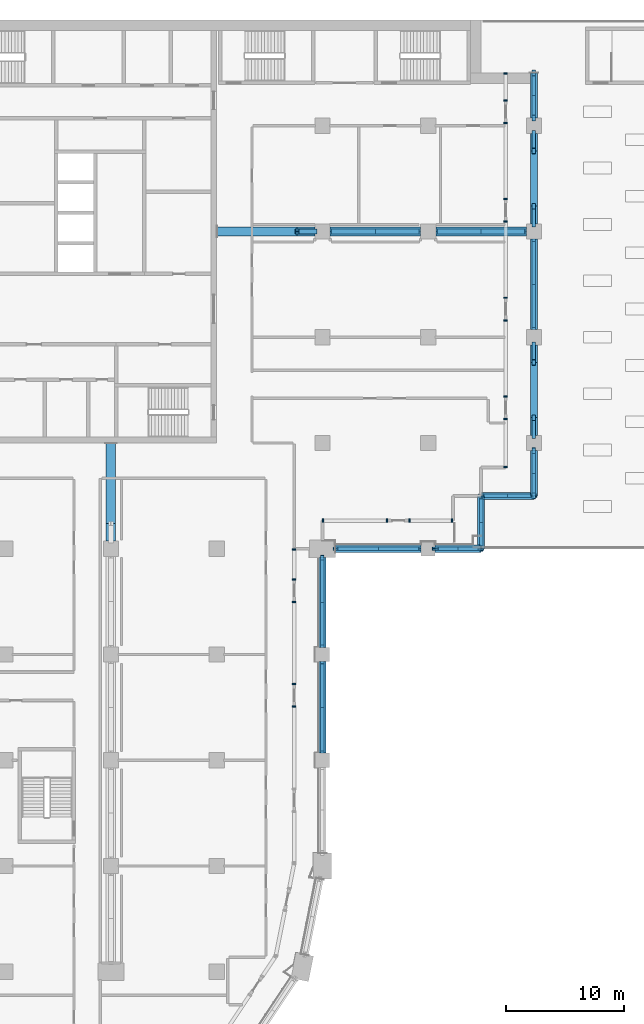
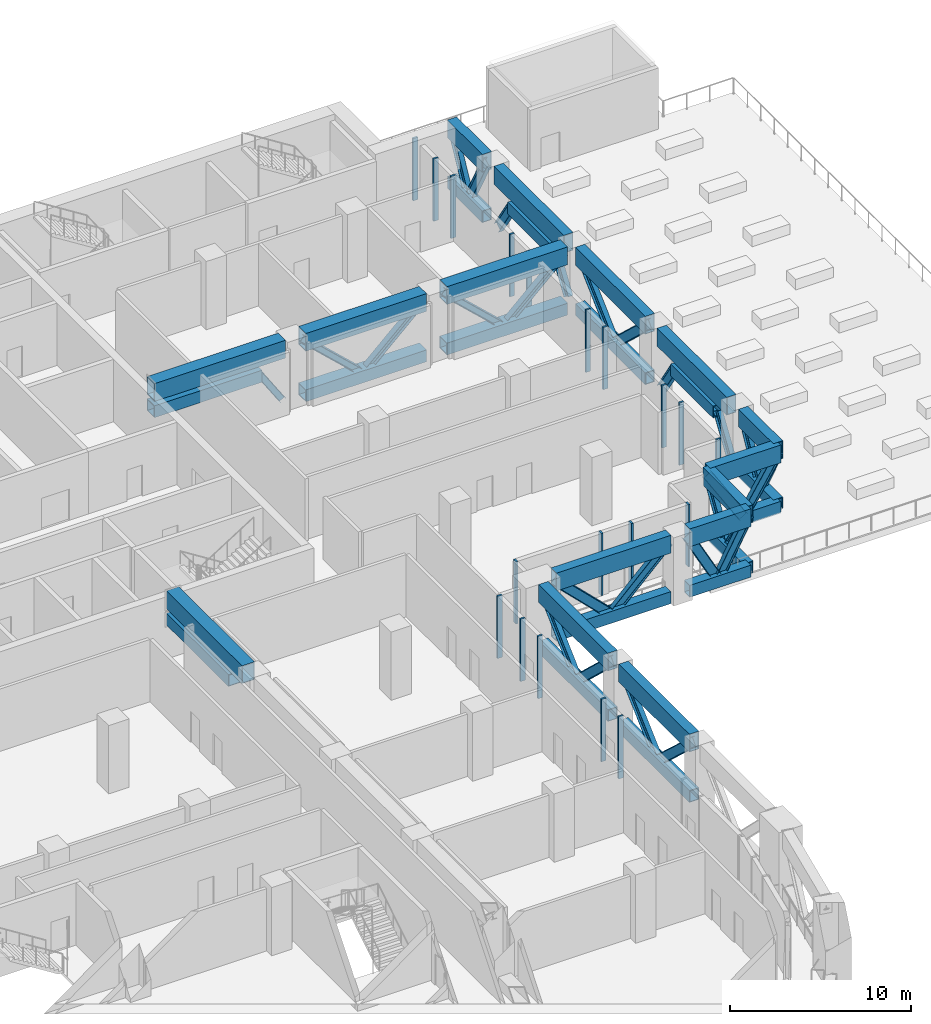
# One storey, part 3 of 22: 76 members.
"""IFC4 building model written with IfcOpenShell, lengths in metres."""

from ifc_helpers import new_model, si_unit, direction, frame, origin, origin_2d, place, context, subcontext, project, spatial, rectangle, hollow_rectangle, i_section, extrude, material, material_profile, profile_set, type_object, element, save


model = new_model("IFC4")

# Units and contexts
model_context = context("Model", 3, precision=1e-05, world=origin(), true_north=direction((0.0, 1.0)))
body_context = subcontext(model_context, "Body", "Model", "MODEL_VIEW")
ifc_project = project(units=[si_unit("LENGTHUNIT", "METRE"), si_unit("AREAUNIT", "SQUARE_METRE"), si_unit("VOLUMEUNIT", "CUBIC_METRE"), si_unit("PLANEANGLEUNIT", "RADIAN"), si_unit("MASSUNIT", "GRAM", prefix="KILO")], contexts=[model_context])

# Site, building, storey
site_placement = place(None, origin())
site = spatial("IfcSite", under=ifc_project, at=site_placement, CompositionType="ELEMENT")
building_placement = place(site_placement, origin())
building = spatial("IfcBuilding", under=site, at=building_placement, Name="Hunhe Ridgeline Campus", CompositionType="ELEMENT")
storey_placement = place(building_placement, frame((0.0, 0.0, 129.199951171875)))
storey = spatial("IfcBuildingStorey", under=building, at=storey_placement, Name="L32", CompositionType="ELEMENT", Elevation=129.199951171875)

# Members
ifc_material_1 = material(Name="Steel Q420", Category="steel")
ifc_material_profile_1 = material_profile(ifc_material_1, hollow_rectangle(XDim=0.60009765625, YDim=0.800048828125, WallThickness=0.035888671875, at=origin_2d()))
ifc_profile_set_1 = profile_set([ifc_material_profile_1], Name="Steel Q420")
member_type_1 = type_object("IfcMemberType", Name="Belt truss bottom chord Box 800x600x36 Steel Q420", PredefinedType="CHORD", material=ifc_profile_set_1)
member_1_placement = place(storey_placement, frame((45.0, 36.60009765625, 0.400146484375), z_axis=(0.0, 1.0, 0.0), x_axis=(-1.0, 0.0, 0.0)))
element("IfcMember", 1, at=member_1_placement, inside=storey, type_object=member_type_1, Name="Belt truss BT1 bottom chord L32 38", PredefinedType="CHORD", context=body_context, shape_type="SweptSolid", body=[
    extrude(hollow_rectangle(XDim=0.60009765625, YDim=0.800048828125, WallThickness=0.035888671875, at=origin_2d()), origin(), (0.0, 0.0, 1.0), 7.7998046875),
])
member_2_placement = place(storey_placement, frame((45.0, 45.60009765625, 0.400146484375), z_axis=(0.0, 1.0, 0.0), x_axis=(-1.0, 0.0, 0.0)))
element("IfcMember", 2, at=member_2_placement, inside=storey, type_object=member_type_1, Name="Belt truss BT1 bottom chord L32 42", PredefinedType="CHORD", context=body_context, shape_type="SweptSolid", body=[
    extrude(hollow_rectangle(XDim=0.60009765625, YDim=0.800048828125, WallThickness=0.035888671875, at=origin_2d()), origin(), (0.0, 0.0, 1.0), 7.64990234375),
])
member_3_placement = place(storey_placement, frame((46.10009765625, 54.0, 0.400146484375), z_axis=(1.0, 0.0, 0.0), x_axis=(0.0, 1.0, 0.0)))
element("IfcMember", 3, at=member_3_placement, inside=storey, type_object=member_type_1, Name="Belt truss BT1 bottom chord L32 46", PredefinedType="CHORD", context=body_context, shape_type="SweptSolid", body=[
    extrude(hollow_rectangle(XDim=0.60009765625, YDim=0.800048828125, WallThickness=0.035888671875, at=origin_2d()), origin(), (0.0, 0.0, 1.0), 7.2998046875),
])
member_4_placement = place(storey_placement, frame((54.60009765625, 54.0, 0.400146484375), z_axis=(1.0, 0.0, 0.0), x_axis=(0.0, 1.0, 0.0)))
element("IfcMember", 4, at=member_4_placement, inside=storey, type_object=member_type_1, Name="Belt truss BT1 bottom chord L32 50", PredefinedType="CHORD", context=body_context, shape_type="SweptSolid", body=[
    extrude(hollow_rectangle(XDim=0.60009765625, YDim=0.800048828125, WallThickness=0.035888671875, at=origin_2d()), origin(), (0.0, 0.0, 1.0), 3.89990234375),
])
for number, where, z_axis, x_axis, name in (
    (5, (58.5, 54.0, 0.400146484375), (0.0, 1.0, 0.0), (-1.0, 0.0, 0.0), "Belt truss BT1 bottom chord L32 54"),
    (6, (58.5, 58.5, 0.400146484375), (1.0, 0.0, 0.0), (0.0, 1.0, 0.0), "Belt truss BT1 bottom chord L32 58"),
):
    element("IfcMember", number, at=place(storey_placement, frame(where, z_axis=z_axis, x_axis=x_axis)), inside=storey, type_object=member_type_1, Name=name, PredefinedType="CHORD", context=body_context, shape_type="SweptSolid", body=[
        extrude(hollow_rectangle(XDim=0.60009765625, YDim=0.800048828125, WallThickness=0.035888671875, at=origin_2d()), origin(), (0.0, 0.0, 1.0), 4.5),
    ])
member_5_placement = place(storey_placement, frame((63.0, 58.5, 0.400146484375), z_axis=(0.0, 1.0, 0.0), x_axis=(-1.0, 0.0, 0.0)))
element("IfcMember", 7, at=member_5_placement, inside=storey, type_object=member_type_1, Name="Belt truss BT1 bottom chord L32 62", PredefinedType="CHORD", context=body_context, shape_type="SweptSolid", body=[
    extrude(hollow_rectangle(XDim=0.60009765625, YDim=0.800048828125, WallThickness=0.035888671875, at=origin_2d()), origin(), (0.0, 0.0, 1.0), 3.85009765625),
])
member_6_placement = place(storey_placement, frame((63.0, 65.14990234375, 2.699951171875), z_axis=(0.0, 1.0, 0.0), x_axis=(-1.0, 0.0, 0.0)))
element("IfcMember", 8, at=member_6_placement, inside=storey, type_object=member_type_1, Name="Belt truss BT1 bottom chord L32 66", PredefinedType="CHORD", context=body_context, shape_type="SweptSolid", body=[
    extrude(hollow_rectangle(XDim=0.60009765625, YDim=0.800048828125, WallThickness=0.035888671875, at=origin_2d()), origin(), (0.0, 0.0, 1.0), 4.7001953125),
])
member_7_placement = place(storey_placement, frame((63.0, 72.64990234375, 0.400146484375), z_axis=(0.0, 1.0, 0.0), x_axis=(-1.0, 0.0, 0.0)))
element("IfcMember", 9, at=member_7_placement, inside=storey, type_object=member_type_1, Name="Belt truss BT1 bottom chord L32 70", PredefinedType="CHORD", context=body_context, shape_type="SweptSolid", body=[
    extrude(hollow_rectangle(XDim=0.60009765625, YDim=0.800048828125, WallThickness=0.035888671875, at=origin_2d()), origin(), (0.0, 0.0, 1.0), 7.7001953125),
])
member_8_placement = place(storey_placement, frame((63.0, 83.14990234375, 2.699951171875), z_axis=(0.0, 1.0, 0.0), x_axis=(-1.0, 0.0, 0.0)))
element("IfcMember", 10, at=member_8_placement, inside=storey, type_object=member_type_1, Name="Belt truss BT1 bottom chord L32 74", PredefinedType="CHORD", context=body_context, shape_type="SweptSolid", body=[
    extrude(hollow_rectangle(XDim=0.60009765625, YDim=0.800048828125, WallThickness=0.035888671875, at=origin_2d()), origin(), (0.0, 0.0, 1.0), 4.7001953125),
])
member_9_placement = place(storey_placement, frame((63.0, 90.64990234375, 0.400146484375), z_axis=(0.0, 1.0, 0.0), x_axis=(-1.0, 0.0, 0.0)))
element("IfcMember", 11, at=member_9_placement, inside=storey, type_object=member_type_1, Name="Belt truss BT1 bottom chord L32 78", PredefinedType="CHORD", context=body_context, shape_type="SweptSolid", body=[
    extrude(hollow_rectangle(XDim=0.60009765625, YDim=0.800048828125, WallThickness=0.035888671875, at=origin_2d()), origin(), (0.0, 0.0, 1.0), 3.85009765625),
])
ifc_material_profile_2 = material_profile(ifc_material_1, i_section(OverallWidth=0.300048828125, OverallDepth=0.587890625, WebThickness=0.011962890625, FlangeThickness=0.02001953125, FilletRadius=0.012939453125, at=origin_2d()))
ifc_profile_set_2 = profile_set([ifc_material_profile_2], Name="Steel Q420")
member_type_2 = type_object("IfcMemberType", Name="Belt truss diagonal HM588x300x12x20 Steel Q420", PredefinedType="BRACE", material=ifc_profile_set_2)
for number, where, z_axis, x_axis, name in (
    (12, (45.0, 36.60009765625, 4.0), (0.0, 0.734808735374, -0.678274371046), (-1.0, 0.0, 0.0), "Belt truss BT1 diagonal L32 39"),
    (13, (45.0, 40.5, 0.400146484375), (0.0, 0.734808735374, 0.678274371046), (-1.0, 0.0, 0.0), "Belt truss BT1 diagonal L32 40"),
):
    element("IfcMember", number, at=place(storey_placement, frame(where, z_axis=z_axis, x_axis=x_axis)), inside=storey, type_object=member_type_2, Name=name, PredefinedType="BRACE", context=body_context, shape_type="SweptSolid", body=[
        extrude(i_section(OverallWidth=0.300048828125, OverallDepth=0.587890625, WebThickness=0.011962890625, FlangeThickness=0.02001953125, FilletRadius=0.012939453125, at=origin_2d()), origin(), (0.0, 0.0, 1.0), 5.307373046875),
    ])
for number, where, z_axis, x_axis, name in (
    (14, (45.0, 45.60009765625, 4.0), (0.0, 0.728209544572, -0.685354549991), (-1.0, 0.0, 0.0), "Belt truss BT1 diagonal L32 43"),
    (15, (45.0, 49.425048828125, 0.400146484375), (0.0, 0.728209544572, 0.685354549991), (-1.0, 0.0, 0.0), "Belt truss BT1 diagonal L32 44"),
):
    element("IfcMember", number, at=place(storey_placement, frame(where, z_axis=z_axis, x_axis=x_axis)), inside=storey, type_object=member_type_2, Name=name, PredefinedType="BRACE", context=body_context, shape_type="SweptSolid", body=[
        extrude(i_section(OverallWidth=0.300048828125, OverallDepth=0.587890625, WebThickness=0.011962890625, FlangeThickness=0.02001953125, FilletRadius=0.012939453125, at=origin_2d()), origin(), (0.0, 0.0, 1.0), 5.25244140625),
    ])
for number, where, z_axis, x_axis, name in (
    (16, (46.10009765625, 54.0, 4.0), (0.711971340796, 0.0, -0.702208523079), (0.0, 1.0, 0.0), "Belt truss BT1 diagonal L32 47"),
    (17, (49.75, 54.0, 0.400146484375), (0.711971340796, 0.0, 0.702208523079), (0.0, 1.0, 0.0), "Belt truss BT1 diagonal L32 48"),
):
    element("IfcMember", number, at=place(storey_placement, frame(where, z_axis=z_axis, x_axis=x_axis)), inside=storey, type_object=member_type_2, Name=name, PredefinedType="BRACE", context=body_context, shape_type="SweptSolid", body=[
        extrude(i_section(OverallWidth=0.300048828125, OverallDepth=0.587890625, WebThickness=0.011962890625, FlangeThickness=0.02001953125, FilletRadius=0.012939453125, at=origin_2d()), origin(), (0.0, 0.0, 1.0), 5.12646484375),
    ])
for number, where, z_axis, x_axis, name in (
    (18, (54.60009765625, 54.0, 4.0), (0.476288911721, 0.0, -0.879288844789), (0.0, 1.0, 0.0), "Belt truss BT1 diagonal L32 51"),
    (19, (56.550048828125, 54.0, 0.400146484375), (0.476288911721, 0.0, 0.879288844789), (0.0, 1.0, 0.0), "Belt truss BT1 diagonal L32 52"),
):
    element("IfcMember", number, at=place(storey_placement, frame(where, z_axis=z_axis, x_axis=x_axis)), inside=storey, type_object=member_type_2, Name=name, PredefinedType="BRACE", context=body_context, shape_type="SweptSolid", body=[
        extrude(i_section(OverallWidth=0.300048828125, OverallDepth=0.587890625, WebThickness=0.011962890625, FlangeThickness=0.02001953125, FilletRadius=0.012939453125, at=origin_2d()), origin(), (0.0, 0.0, 1.0), 4.093994140625),
    ])
for number, where, z_axis, x_axis, name in (
    (20, (58.5, 54.0, 4.0), (0.0, 0.530014448296, -0.847988611125), (-1.0, 0.0, 0.0), "Belt truss BT1 diagonal L32 55"),
    (21, (58.5, 56.25, 0.400146484375), (0.0, 0.530014448296, 0.847988611125), (-1.0, 0.0, 0.0), "Belt truss BT1 diagonal L32 56"),
    (22, (58.5, 58.5, 4.0), (0.530014448296, 0.0, -0.847988611125), (0.0, 1.0, 0.0), "Belt truss BT1 diagonal L32 59"),
    (23, (60.75, 58.5, 0.400146484375), (0.530014448296, 0.0, 0.847988611125), (0.0, 1.0, 0.0), "Belt truss BT1 diagonal L32 60"),
):
    element("IfcMember", number, at=place(storey_placement, frame(where, z_axis=z_axis, x_axis=x_axis)), inside=storey, type_object=member_type_2, Name=name, PredefinedType="BRACE", context=body_context, shape_type="SweptSolid", body=[
        extrude(i_section(OverallWidth=0.300048828125, OverallDepth=0.587890625, WebThickness=0.011962890625, FlangeThickness=0.02001953125, FilletRadius=0.012939453125, at=origin_2d()), origin(), (0.0, 0.0, 1.0), 4.2451171875),
    ])
for number, where, z_axis, x_axis, name in (
    (24, (63.0, 58.5, 4.0), (0.0, 0.471565733919, -0.8818309127), (-1.0, 0.0, 0.0), "Belt truss BT1 diagonal L32 63"),
    (25, (63.0, 60.425048828125, 0.400146484375), (0.0, 0.471565733919, 0.8818309127), (-1.0, 0.0, 0.0), "Belt truss BT1 diagonal L32 64"),
):
    element("IfcMember", number, at=place(storey_placement, frame(where, z_axis=z_axis, x_axis=x_axis)), inside=storey, type_object=member_type_2, Name=name, PredefinedType="BRACE", context=body_context, shape_type="SweptSolid", body=[
        extrude(i_section(OverallWidth=0.300048828125, OverallDepth=0.587890625, WebThickness=0.011962890625, FlangeThickness=0.02001953125, FilletRadius=0.012939453125, at=origin_2d()), origin(), (0.0, 0.0, 1.0), 4.082275390625),
    ])
for number, where, z_axis, x_axis, name in (
    (26, (63.0, 63.64990234375, 0.400146484375), (0.0, 0.546300327661, 0.837589369558), (-1.0, 0.0, 0.0), "Belt truss BT1 knee brace L32 67"),
    (27, (63.0, 69.85009765625, 2.699951171875), (0.0, 0.546300327661, -0.837589369558), (-1.0, 0.0, 0.0), "Belt truss BT1 knee brace L32 68"),
):
    element("IfcMember", number, at=place(storey_placement, frame(where, z_axis=z_axis, x_axis=x_axis)), inside=storey, type_object=member_type_2, Name=name, PredefinedType="BRACE", context=body_context, shape_type="SweptSolid", body=[
        extrude(i_section(OverallWidth=0.300048828125, OverallDepth=0.587890625, WebThickness=0.011962890625, FlangeThickness=0.02001953125, FilletRadius=0.012939453125, at=origin_2d()), origin(), (0.0, 0.0, 1.0), 2.745849609375),
    ])
for number, where, z_axis, x_axis, name in (
    (28, (63.0, 72.64990234375, 4.0), (0.0, 0.730446562778, -0.682969852135), (-1.0, 0.0, 0.0), "Belt truss BT1 diagonal L32 71"),
    (29, (63.0, 76.5, 0.400146484375), (0.0, 0.730446562778, 0.682969852135), (-1.0, 0.0, 0.0), "Belt truss BT1 diagonal L32 72"),
):
    element("IfcMember", number, at=place(storey_placement, frame(where, z_axis=z_axis, x_axis=x_axis)), inside=storey, type_object=member_type_2, Name=name, PredefinedType="BRACE", context=body_context, shape_type="SweptSolid", body=[
        extrude(i_section(OverallWidth=0.300048828125, OverallDepth=0.587890625, WebThickness=0.011962890625, FlangeThickness=0.02001953125, FilletRadius=0.012939453125, at=origin_2d()), origin(), (0.0, 0.0, 1.0), 5.27099609375),
    ])
for number, where, z_axis, x_axis, name in (
    (30, (63.0, 81.64990234375, 0.400146484375), (0.0, 0.546300327661, 0.837589369558), (-1.0, 0.0, 0.0), "Belt truss BT1 knee brace L32 75"),
    (31, (63.0, 87.85009765625, 2.699951171875), (0.0, 0.546300327661, -0.837589369558), (-1.0, 0.0, 0.0), "Belt truss BT1 knee brace L32 76"),
):
    element("IfcMember", number, at=place(storey_placement, frame(where, z_axis=z_axis, x_axis=x_axis)), inside=storey, type_object=member_type_2, Name=name, PredefinedType="BRACE", context=body_context, shape_type="SweptSolid", body=[
        extrude(i_section(OverallWidth=0.300048828125, OverallDepth=0.587890625, WebThickness=0.011962890625, FlangeThickness=0.02001953125, FilletRadius=0.012939453125, at=origin_2d()), origin(), (0.0, 0.0, 1.0), 2.745849609375),
    ])
for number, where, z_axis, x_axis, name in (
    (32, (63.0, 90.64990234375, 4.0), (0.0, 0.471565733919, -0.8818309127), (-1.0, 0.0, 0.0), "Belt truss BT1 diagonal L32 79"),
    (33, (63.0, 92.574951171875, 0.400146484375), (0.0, 0.471565733919, 0.8818309127), (-1.0, 0.0, 0.0), "Belt truss BT1 diagonal L32 80"),
):
    element("IfcMember", number, at=place(storey_placement, frame(where, z_axis=z_axis, x_axis=x_axis)), inside=storey, type_object=member_type_2, Name=name, PredefinedType="BRACE", context=body_context, shape_type="SweptSolid", body=[
        extrude(i_section(OverallWidth=0.300048828125, OverallDepth=0.587890625, WebThickness=0.011962890625, FlangeThickness=0.02001953125, FilletRadius=0.012939453125, at=origin_2d()), origin(), (0.0, 0.0, 1.0), 4.082275390625),
    ])
ifc_material_profile_3 = material_profile(ifc_material_1, hollow_rectangle(XDim=0.60009765625, YDim=1.199951171875, WallThickness=0.035888671875, at=origin_2d()))
ifc_profile_set_3 = profile_set([ifc_material_profile_3], Name="Steel Q420")
member_type_3 = type_object("IfcMemberType", Name="Belt truss top chord Box 1200x600x36 Steel Q420", PredefinedType="CHORD", material=ifc_profile_set_3)
member_10_placement = place(storey_placement, frame((45.0, 36.60009765625, 4.0), z_axis=(0.0, 1.0, 0.0), x_axis=(-1.0, 0.0, 0.0)))
element("IfcMember", 34, at=member_10_placement, inside=storey, type_object=member_type_3, Name="Belt truss BT1 top chord L32 37", PredefinedType="CHORD", context=body_context, shape_type="SweptSolid", body=[
    extrude(hollow_rectangle(XDim=0.60009765625, YDim=1.199951171875, WallThickness=0.035888671875, at=origin_2d()), origin(), (0.0, 0.0, 1.0), 7.7998046875),
])
member_11_placement = place(storey_placement, frame((45.0, 45.60009765625, 4.0), z_axis=(0.0, 1.0, 0.0), x_axis=(-1.0, 0.0, 0.0)))
element("IfcMember", 35, at=member_11_placement, inside=storey, type_object=member_type_3, Name="Belt truss BT1 top chord L32 41", PredefinedType="CHORD", context=body_context, shape_type="SweptSolid", body=[
    extrude(hollow_rectangle(XDim=0.60009765625, YDim=1.199951171875, WallThickness=0.035888671875, at=origin_2d()), origin(), (0.0, 0.0, 1.0), 7.64990234375),
])
member_12_placement = place(storey_placement, frame((46.10009765625, 54.0, 4.0), z_axis=(1.0, 0.0, 0.0), x_axis=(0.0, 1.0, 0.0)))
element("IfcMember", 36, at=member_12_placement, inside=storey, type_object=member_type_3, Name="Belt truss BT1 top chord L32 45", PredefinedType="CHORD", context=body_context, shape_type="SweptSolid", body=[
    extrude(hollow_rectangle(XDim=0.60009765625, YDim=1.199951171875, WallThickness=0.035888671875, at=origin_2d()), origin(), (0.0, 0.0, 1.0), 7.2998046875),
])
member_13_placement = place(storey_placement, frame((54.60009765625, 54.0, 4.0), z_axis=(1.0, 0.0, 0.0), x_axis=(0.0, 1.0, 0.0)))
element("IfcMember", 37, at=member_13_placement, inside=storey, type_object=member_type_3, Name="Belt truss BT1 top chord L32 49", PredefinedType="CHORD", context=body_context, shape_type="SweptSolid", body=[
    extrude(hollow_rectangle(XDim=0.60009765625, YDim=1.199951171875, WallThickness=0.035888671875, at=origin_2d()), origin(), (0.0, 0.0, 1.0), 3.89990234375),
])
for number, where, z_axis, x_axis, name in (
    (38, (58.5, 54.0, 4.0), (0.0, 1.0, 0.0), (-1.0, 0.0, 0.0), "Belt truss BT1 top chord L32 53"),
    (39, (58.5, 58.5, 4.0), (1.0, 0.0, 0.0), (0.0, 1.0, 0.0), "Belt truss BT1 top chord L32 57"),
):
    element("IfcMember", number, at=place(storey_placement, frame(where, z_axis=z_axis, x_axis=x_axis)), inside=storey, type_object=member_type_3, Name=name, PredefinedType="CHORD", context=body_context, shape_type="SweptSolid", body=[
        extrude(hollow_rectangle(XDim=0.60009765625, YDim=1.199951171875, WallThickness=0.035888671875, at=origin_2d()), origin(), (0.0, 0.0, 1.0), 4.5),
    ])
member_14_placement = place(storey_placement, frame((63.0, 58.5, 4.0), z_axis=(0.0, 1.0, 0.0), x_axis=(-1.0, 0.0, 0.0)))
element("IfcMember", 40, at=member_14_placement, inside=storey, type_object=member_type_3, Name="Belt truss BT1 top chord L32 61", PredefinedType="CHORD", context=body_context, shape_type="SweptSolid", body=[
    extrude(hollow_rectangle(XDim=0.60009765625, YDim=1.199951171875, WallThickness=0.035888671875, at=origin_2d()), origin(), (0.0, 0.0, 1.0), 3.85009765625),
])
for number, where, z_axis, x_axis, name in (
    (41, (63.0, 63.64990234375, 4.0), (0.0, 1.0, 0.0), (-1.0, 0.0, 0.0), "Belt truss BT1 top chord L32 65"),
    (42, (63.0, 72.64990234375, 4.0), (0.0, 1.0, 0.0), (-1.0, 0.0, 0.0), "Belt truss BT1 top chord L32 69"),
    (43, (63.0, 81.64990234375, 4.0), (0.0, 1.0, 0.0), (-1.0, 0.0, 0.0), "Belt truss BT1 top chord L32 73"),
):
    element("IfcMember", number, at=place(storey_placement, frame(where, z_axis=z_axis, x_axis=x_axis)), inside=storey, type_object=member_type_3, Name=name, PredefinedType="CHORD", context=body_context, shape_type="SweptSolid", body=[
        extrude(hollow_rectangle(XDim=0.60009765625, YDim=1.199951171875, WallThickness=0.035888671875, at=origin_2d()), origin(), (0.0, 0.0, 1.0), 7.7001953125),
    ])
member_15_placement = place(storey_placement, frame((63.0, 90.64990234375, 4.0), z_axis=(0.0, 1.0, 0.0), x_axis=(-1.0, 0.0, 0.0)))
element("IfcMember", 44, at=member_15_placement, inside=storey, type_object=member_type_3, Name="Belt truss BT1 top chord L32 77", PredefinedType="CHORD", context=body_context, shape_type="SweptSolid", body=[
    extrude(hollow_rectangle(XDim=0.60009765625, YDim=1.199951171875, WallThickness=0.035888671875, at=origin_2d()), origin(), (0.0, 0.0, 1.0), 3.85009765625),
])
ifc_material_2 = material(Name="Aluminium 6063", Category="aluminium")
ifc_material_profile_4 = material_profile(ifc_material_2, rectangle(XDim=0.300048828125, YDim=0.1201171875, at=origin_2d()))
ifc_profile_set_4 = profile_set([ifc_material_profile_4], Name="Aluminium 6063")
member_type_4 = type_object("IfcMemberType", Name="Louvre frame jamb 120x300 Aluminium 6063", PredefinedType="USERDEFINED", material=ifc_profile_set_4)
for number, where, z_axis, x_axis, name in (
    (45, (42.59912109375, 40.55859375, 0.0), (0.0, 0.0, 1.0), (-0.999999999991, 4.353113e-06, 0.0), "Louvre frame jamb 18b"),
    (46, (42.59912109375, 42.478515625, 0.0), (0.0, 0.0, 1.0), (-0.999999999991, 4.353113e-06, 0.0), "Louvre frame jamb 19a"),
    (47, (42.59912109375, 49.479736328125, 0.0), (0.0, 0.0, 1.0), (-0.999999999991, 4.353113e-06, 0.0), "Louvre frame jamb 19b"),
    (48, (42.59912109375, 51.39990234375, 0.0), (0.0, 0.0, 1.0), (-0.99999999999, 4.510158e-06, 0.0), "Louvre frame jamb 20a"),
    (49, (42.59912109375, 53.9404296875, 0.0), (0.0, 0.0, 1.0), (-0.99999999999, 4.510158e-06, 0.0), "Louvre frame jamb 20b"),
    (50, (45.059814453125, 56.40087890625, 0.0), (0.0, 0.0, 1.0), (-1.621742e-06, 0.999999999999, 0.0), "Louvre frame jamb 21a"),
    (51, (50.489501953125, 56.40087890625, 0.0), (0.0, 0.0, 1.0), (-1.621742e-06, 0.999999999999, 0.0), "Louvre frame jamb 21b"),
    (52, (52.409423828125, 56.40087890625, 0.0), (0.0, 0.0, 1.0), (-1.60017e-06, 0.999999999999, 0.0), "Louvre frame jamb 22a"),
    (53, (56.0390625, 56.40087890625, 0.0), (0.0, 0.0, 1.0), (-1.60017e-06, 0.999999999999, 0.0), "Louvre frame jamb 22b"),
    (54, (60.59912109375, 60.9609375, 0.0), (0.0, 0.0, 1.0), (-1.0, 0.0, 0.0), "Louvre frame jamb 23a"),
    (55, (60.59912109375, 65.040771484375, 0.0), (0.0, 0.0, 1.0), (-1.0, 0.0, 0.0), "Louvre frame jamb 23b"),
    (56, (60.59912109375, 66.9609375, 0.0), (0.0, 0.0, 1.0), (-1.0, 0.0, 0.0), "Louvre frame jamb 24a"),
    (57, (60.59912109375, 73.440673828125, 0.0), (0.0, 0.0, 1.0), (-1.0, 0.0, 0.0), "Louvre frame jamb 24b"),
    (58, (60.59912109375, 75.360595703125, 0.0), (0.0, 0.0, 1.0), (-1.0, 0.0, 0.0), "Louvre frame jamb 25a"),
    (59, (60.59912109375, 81.84033203125, 0.0), (0.0, 0.0, 1.0), (-1.0, 0.0, 0.0), "Louvre frame jamb 25b"),
    (60, (60.59912109375, 83.76025390625, 0.0), (0.0, 0.0, 1.0), (-1.0, 0.0, 0.0), "Louvre frame jamb 26a"),
    (61, (60.59912109375, 90.240234375, 0.0), (0.0, 0.0, 1.0), (-1.0, 0.0, 0.0), "Louvre frame jamb 26b"),
    (62, (60.59912109375, 92.16015625, 0.0), (0.0, 0.0, 1.0), (-1.0, 0.0, 0.0), "Louvre frame jamb 27a"),
    (63, (60.59912109375, 94.43994140625, 0.0), (0.0, 0.0, 1.0), (-1.0, 0.0, 0.0), "Louvre frame jamb 27b"),
):
    element("IfcMember", number, at=place(storey_placement, frame(where, z_axis=z_axis, x_axis=x_axis)), inside=storey, type_object=member_type_4, Name=name, ObjectType="LOUVRE FRAME", PredefinedType="USERDEFINED", context=body_context, shape_type="SweptSolid", body=[
        extrude(rectangle(XDim=0.300048828125, YDim=0.1201171875, at=origin_2d()), origin(), (0.0, 0.0, 1.0), 4.199951171875),
    ])
ifc_material_profile_5 = material_profile(ifc_material_1, hollow_rectangle(XDim=0.800048828125, YDim=0.800048828125, WallThickness=0.044921875, at=origin_2d()))
ifc_profile_set_5 = profile_set([ifc_material_profile_5], Name="Steel Q420")
member_type_5 = type_object("IfcMemberType", Name="Outrigger truss bottom chord Box 800x800x45 Steel Q420", PredefinedType="CHORD", material=ifc_profile_set_5)
member_16_placement = place(storey_placement, frame((36.0, 81.0, 2.699951171875), z_axis=(1.0, 0.0, 0.0), x_axis=(0.0, 1.0, 0.0)))
element("IfcMember", 64, at=member_16_placement, inside=storey, type_object=member_type_5, Name="Outrigger truss OR1 bottom chord L32 2", PredefinedType="CHORD", context=body_context, shape_type="SweptSolid", body=[
    extrude(hollow_rectangle(XDim=0.800048828125, YDim=0.800048828125, WallThickness=0.044921875, at=origin_2d()), origin(), (0.0, 0.0, 1.0), 6.85009765625),
])
for number, where, z_axis, x_axis, name in (
    (65, (45.64990234375, 81.0, 0.400146484375), (1.0, 0.0, 0.0), (0.0, 1.0, 0.0), "Outrigger truss OR1 bottom chord L32 5"),
    (66, (54.64990234375, 81.0, 0.400146484375), (1.0, 0.0, 0.0), (0.0, 1.0, 0.0), "Outrigger truss OR1 bottom chord L32 9"),
):
    element("IfcMember", number, at=place(storey_placement, frame(where, z_axis=z_axis, x_axis=x_axis)), inside=storey, type_object=member_type_5, Name=name, PredefinedType="CHORD", context=body_context, shape_type="SweptSolid", body=[
        extrude(hollow_rectangle(XDim=0.800048828125, YDim=0.800048828125, WallThickness=0.044921875, at=origin_2d()), origin(), (0.0, 0.0, 1.0), 7.7001953125),
    ])
member_17_placement = place(storey_placement, frame((27.0, 63.0, 2.699951171875), z_axis=(0.0, -1.0, 0.0), x_axis=(1.0, 0.0, 0.0)))
element("IfcMember", 67, at=member_17_placement, inside=storey, type_object=member_type_5, Name="Outrigger truss OR2 bottom chord L32 2", PredefinedType="CHORD", context=body_context, shape_type="SweptSolid", body=[
    extrude(hollow_rectangle(XDim=0.800048828125, YDim=0.800048828125, WallThickness=0.044921875, at=origin_2d()), origin(), (0.0, 0.0, 1.0), 6.85009765625),
])
ifc_material_profile_6 = material_profile(ifc_material_1, i_section(OverallWidth=0.407958984375, OverallDepth=0.39990234375, WebThickness=0.02099609375, FlangeThickness=0.02099609375, FilletRadius=0.02197265625, at=origin_2d()))
ifc_profile_set_6 = profile_set([ifc_material_profile_6], Name="Steel Q420")
member_type_6 = type_object("IfcMemberType", Name="Outrigger truss diagonal HW400x408x21x21 Steel Q420", PredefinedType="BRACE", material=ifc_profile_set_6)
member_18_placement = place(storey_placement, frame((42.85009765625, 81.0, 2.699951171875), z_axis=(0.546300327661, 0.0, -0.837589369558), x_axis=(0.0, 1.0, 0.0)))
element("IfcMember", 68, at=member_18_placement, inside=storey, type_object=member_type_6, Name="Outrigger truss OR1 knee brace L32 3", PredefinedType="BRACE", context=body_context, shape_type="SweptSolid", body=[
    extrude(i_section(OverallWidth=0.407958984375, OverallDepth=0.39990234375, WebThickness=0.02099609375, FlangeThickness=0.02099609375, FilletRadius=0.02197265625, at=origin_2d()), origin(), (0.0, 0.0, 1.0), 2.745849609375),
])
for number, where, z_axis, x_axis, name in (
    (69, (45.64990234375, 81.0, 4.0), (0.730446562778, 0.0, -0.682969852135), (0.0, 1.0, 0.0), "Outrigger truss OR1 diagonal L32 6"),
    (70, (49.5, 81.0, 0.400146484375), (0.730446562778, 0.0, 0.682969852135), (0.0, 1.0, 0.0), "Outrigger truss OR1 diagonal L32 7"),
    (71, (54.64990234375, 81.0, 4.0), (0.730446562778, 0.0, -0.682969852135), (0.0, 1.0, 0.0), "Outrigger truss OR1 diagonal L32 10"),
    (72, (58.5, 81.0, 0.400146484375), (0.730446562778, 0.0, 0.682969852135), (0.0, 1.0, 0.0), "Outrigger truss OR1 diagonal L32 11"),
):
    element("IfcMember", number, at=place(storey_placement, frame(where, z_axis=z_axis, x_axis=x_axis)), inside=storey, type_object=member_type_6, Name=name, PredefinedType="BRACE", context=body_context, shape_type="SweptSolid", body=[
        extrude(i_section(OverallWidth=0.407958984375, OverallDepth=0.39990234375, WebThickness=0.02099609375, FlangeThickness=0.02099609375, FilletRadius=0.02197265625, at=origin_2d()), origin(), (0.0, 0.0, 1.0), 5.27099609375),
    ])
ifc_material_profile_7 = material_profile(ifc_material_1, hollow_rectangle(XDim=0.800048828125, YDim=1.199951171875, WallThickness=0.044921875, at=origin_2d()))
ifc_profile_set_7 = profile_set([ifc_material_profile_7], Name="Steel Q420")
member_type_7 = type_object("IfcMemberType", Name="Outrigger truss top chord Box 1200x800x45 Steel Q420", PredefinedType="CHORD", material=ifc_profile_set_7)
member_19_placement = place(storey_placement, frame((36.0, 81.0, 4.0), z_axis=(1.0, 0.0, 0.0), x_axis=(0.0, 1.0, 0.0)))
element("IfcMember", 73, at=member_19_placement, inside=storey, type_object=member_type_7, Name="Outrigger truss OR1 top chord L32 1", PredefinedType="CHORD", context=body_context, shape_type="SweptSolid", body=[
    extrude(hollow_rectangle(XDim=0.800048828125, YDim=1.199951171875, WallThickness=0.044921875, at=origin_2d()), origin(), (0.0, 0.0, 1.0), 8.35009765625),
])
for number, where, z_axis, x_axis, name in (
    (74, (45.64990234375, 81.0, 4.0), (1.0, 0.0, 0.0), (0.0, 1.0, 0.0), "Outrigger truss OR1 top chord L32 4"),
    (75, (54.64990234375, 81.0, 4.0), (1.0, 0.0, 0.0), (0.0, 1.0, 0.0), "Outrigger truss OR1 top chord L32 8"),
):
    element("IfcMember", number, at=place(storey_placement, frame(where, z_axis=z_axis, x_axis=x_axis)), inside=storey, type_object=member_type_7, Name=name, PredefinedType="CHORD", context=body_context, shape_type="SweptSolid", body=[
        extrude(hollow_rectangle(XDim=0.800048828125, YDim=1.199951171875, WallThickness=0.044921875, at=origin_2d()), origin(), (0.0, 0.0, 1.0), 7.7001953125),
    ])
member_20_placement = place(storey_placement, frame((27.0, 63.0, 4.0), z_axis=(0.0, -1.0, 0.0), x_axis=(1.0, 0.0, 0.0)))
element("IfcMember", 76, at=member_20_placement, inside=storey, type_object=member_type_7, Name="Outrigger truss OR2 top chord L32 1", PredefinedType="CHORD", context=body_context, shape_type="SweptSolid", body=[
    extrude(hollow_rectangle(XDim=0.800048828125, YDim=1.199951171875, WallThickness=0.044921875, at=origin_2d()), origin(), (0.0, 0.0, 1.0), 8.35009765625),
])

save(model, "model.ifc")
